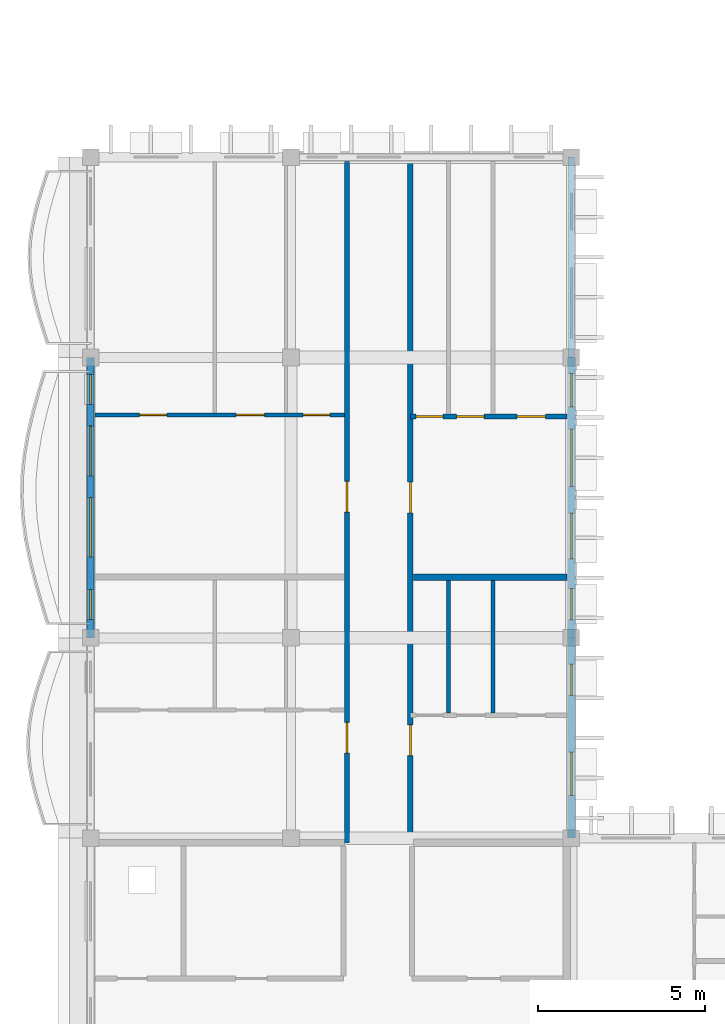
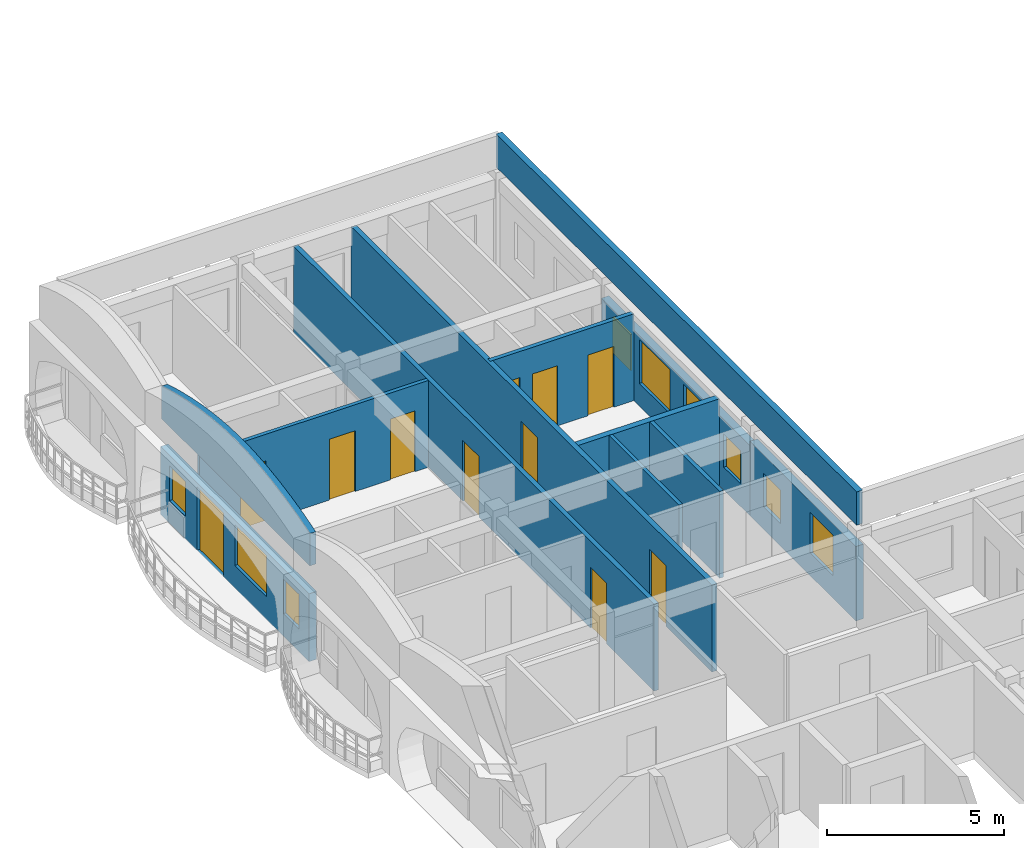
# One storey, part 13 of 45: 12 walls, 11 doors, 9 windows, 20 openings.
"""IFC4 building model written with IfcOpenShell, lengths in metres."""

from ifc_helpers import new_model, si_unit, direction, frame, frame_2d, origin, place, context, subcontext, project, spatial, polyline, rectangle, outline, extrude, material, layer, layer_set, type_object, element, fill, save


model = new_model("IFC4")

# Units and contexts
model_context = context("Model", 3, precision=1e-05, world=origin(), true_north=direction((0.0, 1.0)))
body_context = subcontext(model_context, "Body", "Model", "MODEL_VIEW")
ifc_project = project(units=[si_unit("LENGTHUNIT", "METRE"), si_unit("AREAUNIT", "SQUARE_METRE"), si_unit("VOLUMEUNIT", "CUBIC_METRE"), si_unit("PLANEANGLEUNIT", "RADIAN"), si_unit("MASSUNIT", "GRAM", prefix="KILO"), si_unit("THERMODYNAMICTEMPERATUREUNIT", "KELVIN")], contexts=[model_context])

# Site, building, storey
site_placement = place(None, origin())
site = spatial("IfcSite", under=ifc_project, at=site_placement, CompositionType="ELEMENT")
building_placement = place(site_placement, origin())
building = spatial("IfcBuilding", under=site, at=building_placement, Name="Thalorik Housing Commons", CompositionType="ELEMENT")
storey_placement = place(building_placement, frame((0.0, 0.0, 34.5)))
storey = spatial("IfcBuildingStorey", under=building, at=storey_placement, Name="L10", CompositionType="ELEMENT", Elevation=34.5)

# Wall, openings, doors
ifc_material_1 = material(Name="Masonry fire-rated corridor wall", Category="masonry")
ifc_layer_1 = layer(ifc_material_1, 0.14990234375, Name="Masonry fire-rated corridor wall", Category="masonry")
ifc_layer_set_1 = layer_set([ifc_layer_1], Name="Masonry fire-rated corridor wall")
wall_type_1 = type_object("IfcWallType", Name="ARC-WAL-CORR-150", PredefinedType="PARTITIONING", material=ifc_layer_set_1)
wall_1_placement = place(storey_placement, frame((16.080078125, 22.659912109375, 0.0), z_axis=(0.0, 0.0, 1.0), x_axis=(0.0, 1.0, 0.0)))
wall_1 = element("IfcWall", 1, at=wall_1_placement, inside=storey, type_object=wall_type_1, Name="L10 Block C W Corridor Wall 1", PredefinedType="PARTITIONING", context=body_context, shape_type="SweptSolid", body=[
    extrude(rectangle(XDim=20.41552734375, YDim=0.14990234375, at=frame_2d((10.207763671875, 0.0))), origin(), (0.0, 0.0, 1.0), 3.0),
])
opening_1_placement = place(wall_1_placement, frame((2.69140625, 0.0, 0.0)))
opening_1 = element("IfcOpeningElement", 2, at=opening_1_placement, cuts=wall_1, Name="Opening ID-1966", PredefinedType="OPENING", context=body_context, shape_type="SweptSolid", body=[
    extrude(rectangle(XDim=0.919921875, YDim=2.10009765625, at=frame_2d((0.4599609375, 1.050048828125))), frame((0.0, 0.0849609375, 0.0), z_axis=(0.0, -1.0, 0.0), x_axis=(1.0, 0.0, 0.0)), (0.0, 0.0, 1.0), 0.169921875),
])
opening_2_placement = place(wall_1_placement, frame((9.909912109375, 0.0, 0.0)))
opening_2 = element("IfcOpeningElement", 3, at=opening_2_placement, cuts=wall_1, Name="Opening ID-1967", PredefinedType="OPENING", context=body_context, shape_type="SweptSolid", body=[
    extrude(rectangle(XDim=0.919921875, YDim=2.10009765625, at=frame_2d((0.4599609375, 1.050048828125))), frame((0.0, 0.0849609375, 0.0), z_axis=(0.0, -1.0, 0.0), x_axis=(1.0, 0.0, 0.0)), (0.0, 0.0, 1.0), 0.169921875),
])
ifc_material_2 = material(Name="Solid core hardwood timber", Category="wood")
door_type_1 = type_object("IfcDoorType", Name="ARC-DR-FD30-920", OperationType="NOTDEFINED", PredefinedType="DOOR", material=ifc_material_2)
door_1_placement = place(opening_1_placement, origin())
door_1 = element("IfcDoor", 4, at=door_1_placement, inside=storey, type_object=door_type_1, Name="L10 Flat CW-1A Entrance Door", OperationType="SINGLE_SWING_LEFT", OverallHeight=2.10009765625, OverallWidth=0.919921875, PredefinedType="DOOR", context=body_context, shape_type="SweptSolid", body=[
    extrude(rectangle(XDim=0.919921875, YDim=2.10009765625, at=frame_2d((0.4599609375, 1.050048828125))), frame((0.0, 0.02490234375, 0.0), z_axis=(0.0, -1.0, 0.0), x_axis=(1.0, 0.0, 0.0)), (0.0, 0.0, 1.0), 0.050048828125),
])
fill(opening_1, door_1)
door_2_placement = place(opening_2_placement, origin())
door_2 = element("IfcDoor", 5, at=door_2_placement, inside=storey, type_object=door_type_1, Name="L10 Flat CW-2A Entrance Door", OperationType="SINGLE_SWING_RIGHT", OverallHeight=2.10009765625, OverallWidth=0.919921875, PredefinedType="DOOR", context=body_context, shape_type="SweptSolid", body=[
    extrude(rectangle(XDim=0.919921875, YDim=2.10009765625, at=frame_2d((0.4599609375, 1.050048828125))), frame((0.0, 0.02490234375, 0.0), z_axis=(0.0, -1.0, 0.0), x_axis=(1.0, 0.0, 0.0)), (0.0, 0.0, 1.0), 0.050048828125),
])
fill(opening_2, door_2)

ifc_layer_2 = layer(ifc_material_1, 0.1650390625, Name="Masonry fire-rated corridor wall", Category="masonry")
ifc_layer_set_2 = layer_set([ifc_layer_2], Name="Masonry fire-rated corridor wall")
wall_type_2 = type_object("IfcWallType", Name="ARC-WAL-CORR-165", PredefinedType="PARTITIONING", material=ifc_layer_set_2)
wall_2_placement = place(storey_placement, frame((17.97998046875, 22.659912109375, 0.0), z_axis=(0.0, 0.0, 1.0), x_axis=(0.0, 1.0, 0.0)))
wall_2 = element("IfcWall", 6, at=wall_2_placement, inside=storey, type_object=wall_type_2, Name="L10 Block C W Corridor Wall 2", PredefinedType="PARTITIONING", context=body_context, shape_type="SweptSolid", body=[
    extrude(rectangle(XDim=20.41552734375, YDim=0.1650390625, at=frame_2d((10.207763671875, 0.0))), origin(), (0.0, 0.0, 1.0), 3.0),
])
opening_3_placement = place(wall_2_placement, frame((2.61083984375, 0.0, 0.0)))
opening_3 = element("IfcOpeningElement", 7, at=opening_3_placement, cuts=wall_2, Name="Opening ID-1968", PredefinedType="OPENING", context=body_context, shape_type="SweptSolid", body=[
    extrude(rectangle(XDim=0.919921875, YDim=2.10009765625, at=frame_2d((0.4599609375, 1.050048828125))), frame((0.0, 0.092529296875, 0.0), z_axis=(0.0, -1.0, 0.0), x_axis=(1.0, 0.0, 0.0)), (0.0, 0.0, 1.0), 0.18505859375),
])
opening_4_placement = place(wall_2_placement, frame((9.884765625, 0.0, 0.0)))
opening_4 = element("IfcOpeningElement", 8, at=opening_4_placement, cuts=wall_2, Name="Opening ID-1969", PredefinedType="OPENING", context=body_context, shape_type="SweptSolid", body=[
    extrude(rectangle(XDim=0.919921875, YDim=2.10009765625, at=frame_2d((0.4599609375, 1.050048828125))), frame((0.0, 0.092529296875, 0.0), z_axis=(0.0, -1.0, 0.0), x_axis=(1.0, 0.0, 0.0)), (0.0, 0.0, 1.0), 0.18505859375),
])
door_3_placement = place(opening_3_placement, origin())
door_3 = element("IfcDoor", 9, at=door_3_placement, inside=storey, type_object=door_type_1, Name="L10 Flat CW-1B Entrance Door", OperationType="SINGLE_SWING_LEFT", OverallHeight=2.10009765625, OverallWidth=0.919921875, PredefinedType="DOOR", context=body_context, shape_type="SweptSolid", body=[
    extrude(rectangle(XDim=0.919921875, YDim=2.10009765625, at=frame_2d((0.4599609375, 1.050048828125))), frame((0.0, 0.02490234375, 0.0), z_axis=(0.0, -1.0, 0.0), x_axis=(1.0, 0.0, 0.0)), (0.0, 0.0, 1.0), 0.050048828125),
])
fill(opening_3, door_3)
door_4_placement = place(opening_4_placement, origin())
door_4 = element("IfcDoor", 10, at=door_4_placement, inside=storey, type_object=door_type_1, Name="L10 Flat CW-2B Entrance Door", OperationType="SINGLE_SWING_RIGHT", OverallHeight=2.10009765625, OverallWidth=0.919921875, PredefinedType="DOOR", context=body_context, shape_type="SweptSolid", body=[
    extrude(rectangle(XDim=0.919921875, YDim=2.10009765625, at=frame_2d((0.4599609375, 1.050048828125))), frame((0.0, 0.02490234375, 0.0), z_axis=(0.0, -1.0, 0.0), x_axis=(1.0, 0.0, 0.0)), (0.0, 0.0, 1.0), 0.050048828125),
])
fill(opening_4, door_4)

# Wall, openings, windows
ifc_material_3 = material(Name="White precast concrete C40/50", Category="concrete")
ifc_layer_3 = layer(ifc_material_3, 0.2451171875, Name="White precast concrete C40/50", Category="concrete")
ifc_layer_set_3 = layer_set([ifc_layer_3], Name="White precast concrete C40/50")
wall_type_3 = type_object("IfcWallType", Name="ARC-WAL-EXT-245", PredefinedType="STANDARD", material=ifc_layer_set_3)
wall_3_placement = place(storey_placement, frame((22.800048828125, 22.800048828125, 0.0), z_axis=(0.0, 0.0, 1.0), x_axis=(0.0, 1.0, 0.0)))
wall_3 = element("IfcWall", 11, at=wall_3_placement, inside=storey, type_object=wall_type_3, Name="L10 Exterior Wall WAL-EXT-L10-C-1085", PredefinedType="STANDARD", context=body_context, shape_type="SweptSolid", body=[
    extrude(rectangle(XDim=6.0, YDim=0.2451171875, at=frame_2d((3.0, 0.0))), origin(), (0.0, 0.0, 1.0), 2.574951171875),
])
opening_5_placement = place(wall_3_placement, frame((1.285400390625, 0.0, 0.780029296875)))
opening_5 = element("IfcOpeningElement", 12, at=opening_5_placement, cuts=wall_3, Name="Opening W-06", PredefinedType="OPENING", context=body_context, shape_type="SweptSolid", body=[
    extrude(rectangle(XDim=1.300048828125, YDim=1.39990234375, at=frame_2d((0.64990234375, 0.699951171875))), frame((0.0, 0.132568359375, 0.0), z_axis=(0.0, -1.0, 0.0), x_axis=(1.0, 0.0, 0.0)), (0.0, 0.0, 1.0), 0.26513671875),
])
opening_6_placement = place(wall_3_placement, frame((4.2705078125, 0.0, 0.780029296875)))
opening_6 = element("IfcOpeningElement", 13, at=opening_6_placement, cuts=wall_3, Name="Opening W-43", PredefinedType="OPENING", context=body_context, shape_type="SweptSolid", body=[
    extrude(rectangle(XDim=0.949951171875, YDim=1.14990234375, at=frame_2d((0.47509765625, 0.574951171875))), frame((0.0, 0.132568359375, 0.0), z_axis=(0.0, -1.0, 0.0), x_axis=(1.0, 0.0, 0.0)), (0.0, 0.0, 1.0), 0.26513671875),
])
ifc_material_4 = material(Name="Anodised aluminium and solar-control low-E glass", Category="aluminium")
window_type_1 = type_object("IfcWindowType", Name="ARC-WIN-06", PartitioningType="SINGLE_PANEL", PredefinedType="WINDOW", material=ifc_material_4)
window_1_placement = place(opening_5_placement, origin())
window_1 = element("IfcWindow", 14, at=window_1_placement, inside=storey, type_object=window_type_1, Name="L10 Facade Window 1996", OverallHeight=1.39990234375, OverallWidth=1.300048828125, PartitioningType="SINGLE_PANEL", PredefinedType="WINDOW", context=body_context, shape_type="SweptSolid", body=[
    extrude(rectangle(XDim=1.300048828125, YDim=1.39990234375, at=frame_2d((0.64990234375, 0.699951171875))), frame((0.0, 0.030029296875, 0.0), z_axis=(0.0, -1.0, 0.0), x_axis=(1.0, 0.0, 0.0)), (0.0, 0.0, 1.0), 0.06005859375),
])
fill(opening_5, window_1)
window_type_2 = type_object("IfcWindowType", Name="ARC-WIN-43", PartitioningType="SINGLE_PANEL", PredefinedType="WINDOW", material=ifc_material_4)
window_2_placement = place(opening_6_placement, origin())
window_2 = element("IfcWindow", 15, at=window_2_placement, inside=storey, type_object=window_type_2, Name="L10 Facade Window 1997", OverallHeight=1.14990234375, OverallWidth=0.949951171875, PartitioningType="SINGLE_PANEL", PredefinedType="WINDOW", context=body_context, shape_type="SweptSolid", body=[
    extrude(rectangle(XDim=0.949951171875, YDim=1.14990234375, at=frame_2d((0.47509765625, 0.574951171875))), frame((0.0, 0.030029296875, 0.0), z_axis=(0.0, -1.0, 0.0), x_axis=(1.0, 0.0, 0.0)), (0.0, 0.0, 1.0), 0.06005859375),
])
fill(opening_6, window_2)

wall_4_placement = place(storey_placement, frame((22.800048828125, 28.800048828125, 0.0), z_axis=(0.0, 0.0, 1.0), x_axis=(0.0, 1.0, 0.0)))
wall_4 = element("IfcWall", 16, at=wall_4_placement, inside=storey, type_object=wall_type_3, Name="L10 Exterior Wall WAL-EXT-L10-C-1086", PredefinedType="STANDARD", context=body_context, shape_type="SweptSolid", body=[
    extrude(rectangle(XDim=8.39990234375, YDim=0.2451171875, at=frame_2d((4.199951171875, 0.0))), origin(), (0.0, 0.0, 1.0), 2.425048828125),
])
opening_7_placement = place(wall_4_placement, frame((0.530029296875, 0.0, 0.780029296875)))
opening_7 = element("IfcOpeningElement", 17, at=opening_7_placement, cuts=wall_4, Name="Opening W-43", PredefinedType="OPENING", context=body_context, shape_type="SweptSolid", body=[
    extrude(rectangle(XDim=0.949951171875, YDim=1.14990234375, at=frame_2d((0.47509765625, 0.574951171875))), frame((0.0, 0.132568359375, 0.0), z_axis=(0.0, -1.0, 0.0), x_axis=(1.0, 0.0, 0.0)), (0.0, 0.0, 1.0), 0.26513671875),
])
opening_8_placement = place(wall_4_placement, frame((2.367431640625, 0.0, 0.780029296875)))
opening_8 = element("IfcOpeningElement", 18, at=opening_8_placement, cuts=wall_4, Name="Opening W-49", PredefinedType="OPENING", context=body_context, shape_type="SweptSolid", body=[
    extrude(rectangle(XDim=1.3798828125, YDim=1.47998046875, at=frame_2d((0.68994140625, 0.739990234375))), frame((0.0, 0.132568359375, 0.0), z_axis=(0.0, -1.0, 0.0), x_axis=(1.0, 0.0, 0.0)), (0.0, 0.0, 1.0), 0.26513671875),
])
opening_9_placement = place(wall_4_placement, frame((4.5322265625, 0.0, 0.780029296875)))
opening_9 = element("IfcOpeningElement", 19, at=opening_9_placement, cuts=wall_4, Name="Opening W-56", PredefinedType="OPENING", context=body_context, shape_type="SweptSolid", body=[
    extrude(rectangle(XDim=1.719970703125, YDim=1.52001953125, at=frame_2d((0.85986328125, 0.760009765625))), frame((0.0, 0.132568359375, 0.0), z_axis=(0.0, -1.0, 0.0), x_axis=(1.0, 0.0, 0.0)), (0.0, 0.0, 1.0), 0.26513671875),
])
opening_10_placement = place(wall_4_placement, frame((6.919921875, 0.0, 0.780029296875)))
opening_10 = element("IfcOpeningElement", 20, at=opening_10_placement, cuts=wall_4, Name="Opening W-02", PredefinedType="OPENING", context=body_context, shape_type="SweptSolid", body=[
    extrude(rectangle(XDim=1.0, YDim=1.25, at=frame_2d((0.5, 0.625))), frame((0.0, 0.132568359375, 0.0), z_axis=(0.0, -1.0, 0.0), x_axis=(1.0, 0.0, 0.0)), (0.0, 0.0, 1.0), 0.26513671875),
])
window_type_3 = type_object("IfcWindowType", Name="ARC-WIN-02", PartitioningType="SINGLE_PANEL", PredefinedType="WINDOW", material=ifc_material_4)
window_3_placement = place(opening_10_placement, origin())
window_3 = element("IfcWindow", 21, at=window_3_placement, inside=storey, type_object=window_type_3, Name="L10 Facade Window 2001", OverallHeight=1.25, OverallWidth=1.0, PartitioningType="SINGLE_PANEL", PredefinedType="WINDOW", context=body_context, shape_type="SweptSolid", body=[
    extrude(rectangle(XDim=1.0, YDim=1.25, at=frame_2d((0.5, 0.625))), frame((0.0, 0.030029296875, 0.0), z_axis=(0.0, -1.0, 0.0), x_axis=(1.0, 0.0, 0.0)), (0.0, 0.0, 1.0), 0.06005859375),
])
fill(opening_10, window_3)
window_4_placement = place(opening_7_placement, origin())
window_4 = element("IfcWindow", 22, at=window_4_placement, inside=storey, type_object=window_type_2, Name="L10 Facade Window 1998", OverallHeight=1.14990234375, OverallWidth=0.949951171875, PartitioningType="SINGLE_PANEL", PredefinedType="WINDOW", context=body_context, shape_type="SweptSolid", body=[
    extrude(rectangle(XDim=0.949951171875, YDim=1.14990234375, at=frame_2d((0.47509765625, 0.574951171875))), frame((0.0, 0.030029296875, 0.0), z_axis=(0.0, -1.0, 0.0), x_axis=(1.0, 0.0, 0.0)), (0.0, 0.0, 1.0), 0.06005859375),
])
fill(opening_7, window_4)
window_type_4 = type_object("IfcWindowType", Name="ARC-WIN-49", PartitioningType="SINGLE_PANEL", PredefinedType="WINDOW", material=ifc_material_4)
window_5_placement = place(opening_8_placement, origin())
window_5 = element("IfcWindow", 23, at=window_5_placement, inside=storey, type_object=window_type_4, Name="L10 Facade Window 1999", OverallHeight=1.47998046875, OverallWidth=1.3798828125, PartitioningType="SINGLE_PANEL", PredefinedType="WINDOW", context=body_context, shape_type="SweptSolid", body=[
    extrude(rectangle(XDim=1.3798828125, YDim=1.47998046875, at=frame_2d((0.68994140625, 0.739990234375))), frame((0.0, 0.030029296875, 0.0), z_axis=(0.0, -1.0, 0.0), x_axis=(1.0, 0.0, 0.0)), (0.0, 0.0, 1.0), 0.06005859375),
])
fill(opening_8, window_5)
window_type_5 = type_object("IfcWindowType", Name="ARC-WIN-56", PartitioningType="DOUBLE_PANEL_VERTICAL", PredefinedType="WINDOW", material=ifc_material_4)
window_6_placement = place(opening_9_placement, origin())
window_6 = element("IfcWindow", 24, at=window_6_placement, inside=storey, type_object=window_type_5, Name="L10 Facade Window 2000", OverallHeight=1.52001953125, OverallWidth=1.719970703125, PartitioningType="DOUBLE_PANEL_VERTICAL", PredefinedType="WINDOW", context=body_context, shape_type="SweptSolid", body=[
    extrude(rectangle(XDim=1.719970703125, YDim=1.52001953125, at=frame_2d((0.85986328125, 0.760009765625))), frame((0.0, 0.030029296875, 0.0), z_axis=(0.0, -1.0, 0.0), x_axis=(1.0, 0.0, 0.0)), (0.0, 0.0, 1.0), 0.06005859375),
])
fill(opening_9, window_6)

# Wall, openings, door, windows
wall_5_placement = place(storey_placement, frame((8.39990234375, 37.199951171875, 0.0), z_axis=(0.0, 0.0, 1.0), x_axis=(0.0, -1.0, 0.0)))
wall_5 = element("IfcWall", 25, at=wall_5_placement, inside=storey, type_object=wall_type_3, Name="L10 Exterior Wall WAL-EXT-L10-C-1091", PredefinedType="STANDARD", context=body_context, shape_type="SweptSolid", body=[
    extrude(rectangle(XDim=8.39990234375, YDim=0.2451171875, at=frame_2d((4.199951171875, 0.0))), origin(), (0.0, 0.0, 1.0), 2.344970703125),
])
opening_11_placement = place(wall_5_placement, frame((2.050048828125, 0.0, 0.0)))
opening_11 = element("IfcOpeningElement", 26, at=opening_11_placement, cuts=wall_5, Name="Opening ED-0365", PredefinedType="OPENING", context=body_context, shape_type="SweptSolid", body=[
    extrude(rectangle(XDim=1.5, YDim=2.199951171875, at=frame_2d((0.75, 1.10009765625))), frame((0.0, 0.132568359375, 0.0), z_axis=(0.0, -1.0, 0.0), x_axis=(1.0, 0.0, 0.0)), (0.0, 0.0, 1.0), 0.26513671875),
])
opening_12_placement = place(wall_5_placement, frame((0.5048828125, 0.0, 0.780029296875)))
opening_12 = element("IfcOpeningElement", 27, at=opening_12_placement, cuts=wall_5, Name="Opening W-01", PredefinedType="OPENING", context=body_context, shape_type="SweptSolid", body=[
    extrude(rectangle(XDim=0.89990234375, YDim=1.199951171875, at=frame_2d((0.449951171875, 0.60009765625))), frame((0.0, 0.132568359375, 0.0), z_axis=(0.0, -1.0, 0.0), x_axis=(1.0, 0.0, 0.0)), (0.0, 0.0, 1.0), 0.26513671875),
])
opening_13_placement = place(wall_5_placement, frame((4.199951171875, 0.0, 0.780029296875)))
opening_13 = element("IfcOpeningElement", 28, at=opening_13_placement, cuts=wall_5, Name="Opening W-57", PredefinedType="OPENING", context=body_context, shape_type="SweptSolid", body=[
    extrude(rectangle(XDim=1.780029296875, YDim=1.419921875, at=frame_2d((0.89013671875, 0.7099609375))), frame((0.0, 0.132568359375, 0.0), z_axis=(0.0, -1.0, 0.0), x_axis=(1.0, 0.0, 0.0)), (0.0, 0.0, 1.0), 0.26513671875),
])
opening_14_placement = place(wall_5_placement, frame((6.945068359375, 0.0, 0.780029296875)))
opening_14 = element("IfcOpeningElement", 29, at=opening_14_placement, cuts=wall_5, Name="Opening W-01", PredefinedType="OPENING", context=body_context, shape_type="SweptSolid", body=[
    extrude(rectangle(XDim=0.89990234375, YDim=1.199951171875, at=frame_2d((0.449951171875, 0.60009765625))), frame((0.0, 0.132568359375, 0.0), z_axis=(0.0, -1.0, 0.0), x_axis=(1.0, 0.0, 0.0)), (0.0, 0.0, 1.0), 0.26513671875),
])
ifc_material_5 = material(Name="Anodised aluminium and laminated safety glass", Category="aluminium")
door_type_2 = type_object("IfcDoorType", Name="ARC-DR-BAL-1500", OperationType="NOTDEFINED", PredefinedType="DOOR", material=ifc_material_5)
door_5_placement = place(opening_11_placement, frame((1.5, 0.0, 0.0), z_axis=(0.0, 0.0, 1.0), x_axis=(-1.0, 0.0, 0.0)))
door_5 = element("IfcDoor", 30, at=door_5_placement, inside=storey, type_object=door_type_2, Name="L10 Block C Balcony Glazed Door", OperationType="SLIDING_TO_RIGHT", OverallHeight=2.199951171875, OverallWidth=1.5, PredefinedType="DOOR", context=body_context, shape_type="SweptSolid", body=[
    extrude(rectangle(XDim=1.5, YDim=2.199951171875, at=frame_2d((0.75, 1.10009765625))), frame((0.0, 0.02490234375, 0.0), z_axis=(0.0, -1.0, 0.0), x_axis=(1.0, 0.0, 0.0)), (0.0, 0.0, 1.0), 0.050048828125),
])
fill(opening_11, door_5)
window_type_6 = type_object("IfcWindowType", Name="ARC-WIN-01", PartitioningType="SINGLE_PANEL", PredefinedType="WINDOW", material=ifc_material_4)
window_7_placement = place(opening_12_placement, origin())
window_7 = element("IfcWindow", 31, at=window_7_placement, inside=storey, type_object=window_type_6, Name="L10 Facade Window 2010", OverallHeight=1.199951171875, OverallWidth=0.89990234375, PartitioningType="SINGLE_PANEL", PredefinedType="WINDOW", context=body_context, shape_type="SweptSolid", body=[
    extrude(rectangle(XDim=0.89990234375, YDim=1.199951171875, at=frame_2d((0.449951171875, 0.60009765625))), frame((0.0, 0.030029296875, 0.0), z_axis=(0.0, -1.0, 0.0), x_axis=(1.0, 0.0, 0.0)), (0.0, 0.0, 1.0), 0.06005859375),
])
fill(opening_12, window_7)
window_8_placement = place(opening_14_placement, origin())
window_8 = element("IfcWindow", 32, at=window_8_placement, inside=storey, type_object=window_type_6, Name="L10 Facade Window 2012", OverallHeight=1.199951171875, OverallWidth=0.89990234375, PartitioningType="SINGLE_PANEL", PredefinedType="WINDOW", context=body_context, shape_type="SweptSolid", body=[
    extrude(rectangle(XDim=0.89990234375, YDim=1.199951171875, at=frame_2d((0.449951171875, 0.60009765625))), frame((0.0, 0.030029296875, 0.0), z_axis=(0.0, -1.0, 0.0), x_axis=(1.0, 0.0, 0.0)), (0.0, 0.0, 1.0), 0.06005859375),
])
fill(opening_14, window_8)
window_type_7 = type_object("IfcWindowType", Name="ARC-WIN-57", PartitioningType="DOUBLE_PANEL_VERTICAL", PredefinedType="WINDOW", material=ifc_material_4)
window_9_placement = place(opening_13_placement, origin())
window_9 = element("IfcWindow", 33, at=window_9_placement, inside=storey, type_object=window_type_7, Name="L10 Facade Window 2011", OverallHeight=1.419921875, OverallWidth=1.780029296875, PartitioningType="DOUBLE_PANEL_VERTICAL", PredefinedType="WINDOW", context=body_context, shape_type="SweptSolid", body=[
    extrude(rectangle(XDim=1.780029296875, YDim=1.419921875, at=frame_2d((0.89013671875, 0.7099609375))), frame((0.0, 0.030029296875, 0.0), z_axis=(0.0, -1.0, 0.0), x_axis=(1.0, 0.0, 0.0)), (0.0, 0.0, 1.0), 0.06005859375),
])
fill(opening_13, window_9)

# Walls
ifc_layer_4 = layer(ifc_material_3, 0.195068359375, Name="White precast concrete C40/50", Category="concrete")
ifc_layer_set_4 = layer_set([ifc_layer_4], Name="White precast concrete C40/50")
wall_type_4 = type_object("IfcWallType", Name="ARC-WAL-PAR-195", PredefinedType="PARAPET", material=ifc_layer_set_4)
wall_6_placement = place(storey_placement, frame((22.800048828125, 22.800048828125, 3.300048828125), z_axis=(0.0, 0.0, 1.0), x_axis=(0.0, 1.0, 0.0)))
element("IfcWall", 34, at=wall_6_placement, inside=storey, type_object=wall_type_4, Name="L10 Block C Roof Parapet 31", PredefinedType="PARAPET", context=body_context, shape_type="SweptSolid", body=[
    extrude(rectangle(XDim=20.39990234375, YDim=0.195068359375, at=frame_2d((10.199951171875, 0.0))), origin(), (0.0, 0.0, 1.0), 1.14990234375),
])
wall_7_placement = place(storey_placement, frame((8.39990234375, 37.199951171875, 3.300048828125), z_axis=(0.0, 0.0, 1.0), x_axis=(0.0, -1.0, 0.0)))
element("IfcWall", 35, at=wall_7_placement, inside=storey, type_object=wall_type_4, Name="L10 Block C Scalloped Arched Roof Parapet 34", PredefinedType="PARAPET", context=body_context, shape_type="SweptSolid", body=[
    extrude(outline(polyline([(0.0, 0.0), (8.39990234375, 0.0), (8.39990234375, 1.119873046875), (7.699951171875, 1.321533203125), (7.0, 1.484375), (6.300048828125, 1.61767578125), (5.60009765625, 1.71728515625), (4.89990234375, 1.779052734375), (4.199951171875, 1.800048828125), (3.5, 1.779052734375), (2.800048828125, 1.71728515625), (2.10009765625, 1.61767578125), (1.39990234375, 1.484375), (0.699951171875, 1.321533203125), (0.0, 1.119873046875), (0.0, 0.0)])), frame((0.0, 0.09765625, 0.0), z_axis=(0.0, -1.0, 0.0), x_axis=(1.0, 0.0, 0.0)), (0.0, 0.0, 1.0), 0.195068359375),
])
ifc_material_6 = material(Name="Gypsum moisture-resistant partition", Category="masonry")
ifc_layer_5 = layer(ifc_material_6, 0.114990234375, Name="Gypsum moisture-resistant partition", Category="masonry")
ifc_layer_set_5 = layer_set([ifc_layer_5], Name="Gypsum moisture-resistant partition")
wall_type_5 = type_object("IfcWallType", Name="ARC-WAL-PART-115", PredefinedType="PARTITIONING", material=ifc_layer_set_5)
wall_8_placement = place(storey_placement, frame((19.122314453125, 26.552734375, 0.0), z_axis=(0.0, 0.0, 1.0), x_axis=(0.0, 1.0, 0.0)))
element("IfcWall", 36, at=wall_8_placement, inside=storey, type_object=wall_type_5, Name="L10 Unit 1B Wet Wall", PredefinedType="PARTITIONING", context=body_context, shape_type="SweptSolid", body=[
    extrude(rectangle(XDim=3.96533203125, YDim=0.114990234375, at=frame_2d((1.982666015625, 0.0))), origin(), (0.0, 0.0, 1.0), 3.0),
])
ifc_material_7 = material(Name="Gypsum acoustic stud partition", Category="masonry")
ifc_layer_6 = layer(ifc_material_7, 0.125, Name="Gypsum acoustic stud partition", Category="masonry")
ifc_layer_set_6 = layer_set([ifc_layer_6], Name="Gypsum acoustic stud partition")
wall_type_6 = type_object("IfcWallType", Name="ARC-WAL-PART-125", PredefinedType="PARTITIONING", material=ifc_layer_set_6)
wall_9_placement = place(storey_placement, frame((20.455078125, 26.552734375, 0.0), z_axis=(0.0, 0.0, 1.0), x_axis=(0.0, 1.0, 0.0)))
element("IfcWall", 37, at=wall_9_placement, inside=storey, type_object=wall_type_6, Name="L10 Unit 1B Bedroom Partition", PredefinedType="PARTITIONING", context=body_context, shape_type="SweptSolid", body=[
    extrude(rectangle(XDim=3.96533203125, YDim=0.125, at=frame_2d((1.982666015625, 0.0))), origin(), (0.0, 0.0, 1.0), 3.0),
])

# Wall, openings, doors
wall_10_placement = place(storey_placement, frame((8.5244140625, 35.47998046875, 0.0), z_axis=(0.0, 0.0, 1.0), x_axis=(1.0, 0.0, 0.0)))
wall_10 = element("IfcWall", 38, at=wall_10_placement, inside=storey, type_object=wall_type_6, Name="L10 Unit 2 Spine Partition", PredefinedType="PARTITIONING", context=body_context, shape_type="SweptSolid", body=[
    extrude(rectangle(XDim=7.478515625, YDim=0.125, at=frame_2d((3.7392578125, 0.0))), origin(), (0.0, 0.0, 1.0), 3.0),
])
opening_15_placement = place(wall_10_placement, frame((1.33935546875, 0.0, 0.0)))
opening_15 = element("IfcOpeningElement", 39, at=opening_15_placement, cuts=wall_10, Name="Opening ID-1960", PredefinedType="OPENING", context=body_context, shape_type="SweptSolid", body=[
    extrude(rectangle(XDim=0.820068359375, YDim=2.080078125, at=frame_2d((0.41015625, 1.0400390625))), frame((0.0, 0.072509765625, 0.0), z_axis=(0.0, -1.0, 0.0), x_axis=(1.0, 0.0, 0.0)), (0.0, 0.0, 1.0), 0.14501953125),
])
opening_16_placement = place(wall_10_placement, frame((4.23486328125, 0.0, 0.0)))
opening_16 = element("IfcOpeningElement", 40, at=opening_16_placement, cuts=wall_10, Name="Opening ID-1961", PredefinedType="OPENING", context=body_context, shape_type="SweptSolid", body=[
    extrude(rectangle(XDim=0.85009765625, YDim=2.10009765625, at=frame_2d((0.425048828125, 1.050048828125))), frame((0.0, 0.072509765625, 0.0), z_axis=(0.0, -1.0, 0.0), x_axis=(1.0, 0.0, 0.0)), (0.0, 0.0, 1.0), 0.14501953125),
])
opening_17_placement = place(wall_10_placement, frame((6.2412109375, 0.0, 0.0)))
opening_17 = element("IfcOpeningElement", 41, at=opening_17_placement, cuts=wall_10, Name="Opening ID-1962", PredefinedType="OPENING", context=body_context, shape_type="SweptSolid", body=[
    extrude(rectangle(XDim=0.800048828125, YDim=2.10009765625, at=frame_2d((0.39990234375, 1.050048828125))), frame((0.0, 0.072509765625, 0.0), z_axis=(0.0, -1.0, 0.0), x_axis=(1.0, 0.0, 0.0)), (0.0, 0.0, 1.0), 0.14501953125),
])
ifc_material_8 = material(Name="Moisture-resistant timber", Category="wood")
door_type_3 = type_object("IfcDoorType", Name="ARC-DR-INT-800", OperationType="NOTDEFINED", PredefinedType="DOOR", material=ifc_material_8)
door_6_placement = place(opening_17_placement, origin())
door_6 = element("IfcDoor", 42, at=door_6_placement, inside=storey, type_object=door_type_3, Name="L10 Flat Bathroom Door", OperationType="SINGLE_SWING_LEFT", OverallHeight=2.10009765625, OverallWidth=0.800048828125, PredefinedType="DOOR", context=body_context, shape_type="SweptSolid", body=[
    extrude(rectangle(XDim=0.800048828125, YDim=2.10009765625, at=frame_2d((0.39990234375, 1.050048828125))), frame((0.0, 0.02490234375, 0.0), z_axis=(0.0, -1.0, 0.0), x_axis=(1.0, 0.0, 0.0)), (0.0, 0.0, 1.0), 0.050048828125),
])
fill(opening_17, door_6)
ifc_material_9 = material(Name="Engineered oak timber", Category="wood")
door_type_4 = type_object("IfcDoorType", Name="ARC-DR-INT-820", OperationType="NOTDEFINED", PredefinedType="DOOR", material=ifc_material_9)
door_7_placement = place(opening_15_placement, origin())
door_7 = element("IfcDoor", 43, at=door_7_placement, inside=storey, type_object=door_type_4, Name="L10 Double Bedroom Door", OperationType="SINGLE_SWING_LEFT", OverallHeight=2.080078125, OverallWidth=0.820068359375, PredefinedType="DOOR", context=body_context, shape_type="SweptSolid", body=[
    extrude(rectangle(XDim=0.820068359375, YDim=2.080078125, at=frame_2d((0.41015625, 1.0400390625))), frame((0.0, 0.02490234375, 0.0), z_axis=(0.0, -1.0, 0.0), x_axis=(1.0, 0.0, 0.0)), (0.0, 0.0, 1.0), 0.050048828125),
])
fill(opening_15, door_7)
door_type_5 = type_object("IfcDoorType", Name="ARC-DR-INT-850", OperationType="NOTDEFINED", PredefinedType="DOOR", material=ifc_material_9)
door_8_placement = place(opening_16_placement, origin())
door_8 = element("IfcDoor", 44, at=door_8_placement, inside=storey, type_object=door_type_5, Name="L10 Galley Kitchen Door", OperationType="SINGLE_SWING_RIGHT", OverallHeight=2.10009765625, OverallWidth=0.85009765625, PredefinedType="DOOR", context=body_context, shape_type="SweptSolid", body=[
    extrude(rectangle(XDim=0.85009765625, YDim=2.10009765625, at=frame_2d((0.425048828125, 1.050048828125))), frame((0.0, 0.02490234375, 0.0), z_axis=(0.0, -1.0, 0.0), x_axis=(1.0, 0.0, 0.0)), (0.0, 0.0, 1.0), 0.050048828125),
])
fill(opening_16, door_8)

ifc_material_10 = material(Name="Ceramic masonry partition wall", Category="masonry")
ifc_layer_7 = layer(ifc_material_10, 0.139892578125, Name="Ceramic masonry partition wall", Category="masonry")
ifc_layer_set_7 = layer_set([ifc_layer_7], Name="Ceramic masonry partition wall")
wall_type_7 = type_object("IfcWallType", Name="ARC-WAL-PART-140", PredefinedType="PARTITIONING", material=ifc_layer_set_7)
wall_11_placement = place(storey_placement, frame((17.97998046875, 35.4296875, 0.0), z_axis=(0.0, 0.0, 1.0), x_axis=(1.0, 0.0, 0.0)))
wall_11 = element("IfcWall", 45, at=wall_11_placement, inside=storey, type_object=wall_type_7, Name="L10 Unit 2B Spine Partition", PredefinedType="PARTITIONING", context=body_context, shape_type="SweptSolid", body=[
    extrude(rectangle(XDim=4.695556640625, YDim=0.139892578125, at=frame_2d((2.34765625, 0.0))), origin(), (0.0, 0.0, 1.0), 3.0),
])
opening_18_placement = place(wall_11_placement, frame((0.171142578125, 0.0, 0.0)))
opening_18 = element("IfcOpeningElement", 46, at=opening_18_placement, cuts=wall_11, Name="Opening ID-1963", PredefinedType="OPENING", context=body_context, shape_type="SweptSolid", body=[
    extrude(rectangle(XDim=0.800048828125, YDim=2.10009765625, at=frame_2d((0.39990234375, 1.050048828125))), frame((0.0, 0.080078125, 0.0), z_axis=(0.0, -1.0, 0.0), x_axis=(1.0, 0.0, 0.0)), (0.0, 0.0, 1.0), 0.159912109375),
])
opening_19_placement = place(wall_11_placement, frame((1.3837890625, 0.0, 0.0)))
opening_19 = element("IfcOpeningElement", 47, at=opening_19_placement, cuts=wall_11, Name="Opening ID-1964", PredefinedType="OPENING", context=body_context, shape_type="SweptSolid", body=[
    extrude(rectangle(XDim=0.820068359375, YDim=2.080078125, at=frame_2d((0.41015625, 1.0400390625))), frame((0.0, 0.080078125, 0.0), z_axis=(0.0, -1.0, 0.0), x_axis=(1.0, 0.0, 0.0)), (0.0, 0.0, 1.0), 0.159912109375),
])
opening_20_placement = place(wall_11_placement, frame((3.192626953125, 0.0, 0.0)))
opening_20 = element("IfcOpeningElement", 48, at=opening_20_placement, cuts=wall_11, Name="Opening ID-1965", PredefinedType="OPENING", context=body_context, shape_type="SweptSolid", body=[
    extrude(rectangle(XDim=0.85009765625, YDim=2.10009765625, at=frame_2d((0.425048828125, 1.050048828125))), frame((0.0, 0.080078125, 0.0), z_axis=(0.0, -1.0, 0.0), x_axis=(1.0, 0.0, 0.0)), (0.0, 0.0, 1.0), 0.159912109375),
])
door_9_placement = place(opening_18_placement, origin())
door_9 = element("IfcDoor", 49, at=door_9_placement, inside=storey, type_object=door_type_3, Name="L10 Accessible Bathroom Door", OperationType="SINGLE_SWING_RIGHT", OverallHeight=2.10009765625, OverallWidth=0.800048828125, PredefinedType="DOOR", context=body_context, shape_type="SweptSolid", body=[
    extrude(rectangle(XDim=0.800048828125, YDim=2.10009765625, at=frame_2d((0.39990234375, 1.050048828125))), frame((0.0, 0.02490234375, 0.0), z_axis=(0.0, -1.0, 0.0), x_axis=(1.0, 0.0, 0.0)), (0.0, 0.0, 1.0), 0.050048828125),
])
fill(opening_18, door_9)
door_10_placement = place(opening_19_placement, origin())
door_10 = element("IfcDoor", 50, at=door_10_placement, inside=storey, type_object=door_type_4, Name="L10 Eat-In Kitchen Door", OperationType="SINGLE_SWING_LEFT", OverallHeight=2.080078125, OverallWidth=0.820068359375, PredefinedType="DOOR", context=body_context, shape_type="SweptSolid", body=[
    extrude(rectangle(XDim=0.820068359375, YDim=2.080078125, at=frame_2d((0.41015625, 1.0400390625))), frame((0.0, 0.02490234375, 0.0), z_axis=(0.0, -1.0, 0.0), x_axis=(1.0, 0.0, 0.0)), (0.0, 0.0, 1.0), 0.050048828125),
])
fill(opening_19, door_10)
door_11_placement = place(opening_20_placement, origin())
door_11 = element("IfcDoor", 51, at=door_11_placement, inside=storey, type_object=door_type_5, Name="L10 Master Bedroom Door", OperationType="SINGLE_SWING_RIGHT", OverallHeight=2.10009765625, OverallWidth=0.85009765625, PredefinedType="DOOR", context=body_context, shape_type="SweptSolid", body=[
    extrude(rectangle(XDim=0.85009765625, YDim=2.10009765625, at=frame_2d((0.425048828125, 1.050048828125))), frame((0.0, 0.02490234375, 0.0), z_axis=(0.0, -1.0, 0.0), x_axis=(1.0, 0.0, 0.0)), (0.0, 0.0, 1.0), 0.050048828125),
])
fill(opening_20, door_11)

# Wall
ifc_material_11 = material(Name="Precast concrete C40/50 acoustic wall", Category="concrete")
ifc_layer_8 = layer(ifc_material_11, 0.199951171875, Name="Precast concrete C40/50 acoustic wall", Category="concrete")
ifc_layer_set_8 = layer_set([ifc_layer_8], Name="Precast concrete C40/50 acoustic wall")
wall_type_8 = type_object("IfcWallType", Name="ARC-WAL-PARTY-200", PredefinedType="PARTITIONING", material=ifc_layer_set_8)
wall_12_placement = place(storey_placement, frame((18.064453125, 30.6201171875, 0.0), z_axis=(0.0, 0.0, 1.0), x_axis=(1.0, 0.0, 0.0)))
element("IfcWall", 52, at=wall_12_placement, inside=storey, type_object=wall_type_8, Name="L10 Inter-Tenancy Wall 1B", PredefinedType="PARTITIONING", context=body_context, shape_type="SweptSolid", body=[
    extrude(rectangle(XDim=4.611083984375, YDim=0.199951171875, at=frame_2d((2.3056640625, 0.0))), origin(), (0.0, 0.0, 1.0), 3.0),
])

save(model, "model.ifc")
